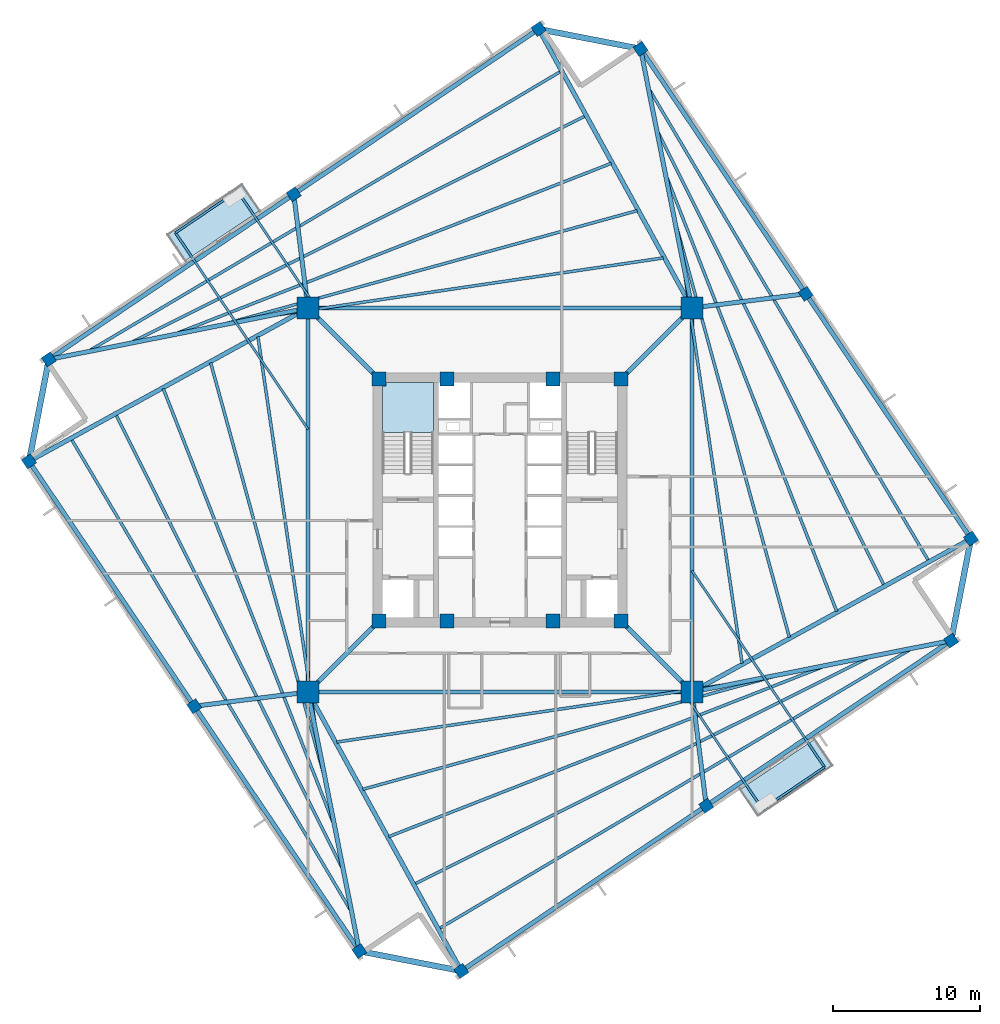
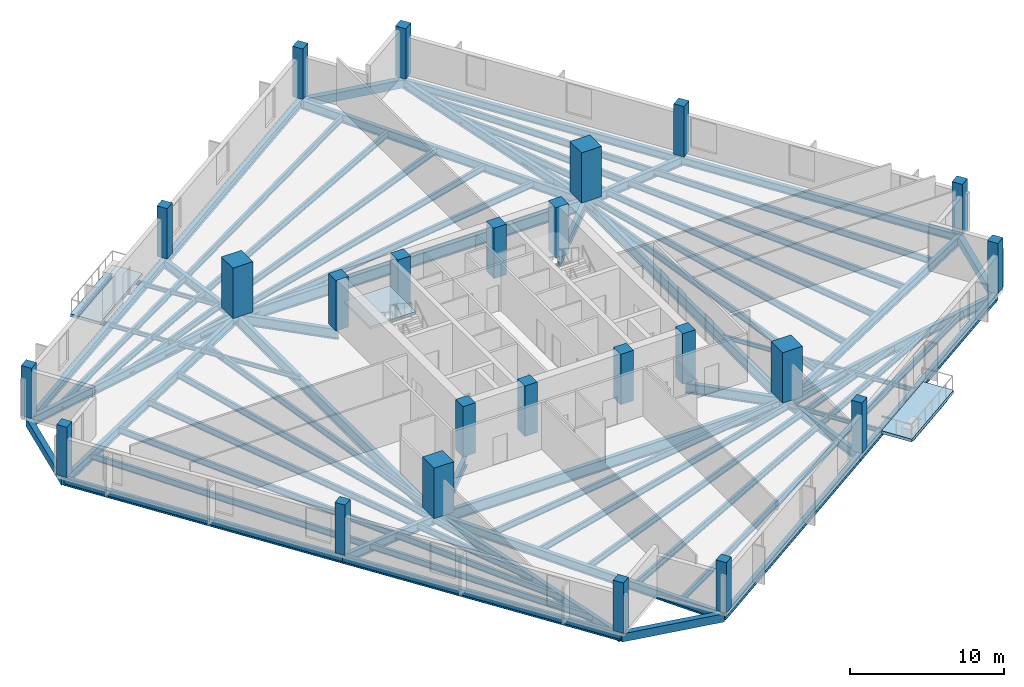
# One storey, part 1 of 8: 58 beams, 24 columns, 3 slabs, 1 element without a shape of its own.
"""IFC4 building model written with IfcOpenShell, lengths in metres."""

import ifcopenshell
import ifcopenshell.guid

model = None  # the IFC model being written
_history = None  # IfcOwnerHistory: only IFC2X3 demands one
_inside = {}  # id of a spatial element -> (the spatial element, [elements in it])
_under = {}  # id of a project, library or spatial element -> (it, [spatial elements below it])
_declared = {}  # id of a project -> (the project, [libraries it declares])
_typed = {}  # id of a type object -> (the type object, [elements of that type])
_made_of = {}  # id of a material, layer set ... -> (it, [elements and type objects made of it])


def new_model(schema):
    """Start an empty IFC model of exactly this schema.

    Asked for "IFC4X3", IfcOpenShell would pick the latest addendum, in which some entities
    have other attributes; the version numbers below select the first issue.
    IFC2X3 requires an IfcOwnerHistory on every rooted entity: one is made here for all.
    """
    global model, _history
    if schema == "IFC4X3":
        model = ifcopenshell.file(schema_version=(4, 3, 0, 0))
    else:
        model = ifcopenshell.file(schema=schema)
    _inside.clear()
    _under.clear()
    _declared.clear()
    _typed.clear()
    _made_of.clear()
    _history = None
    if model.schema == "IFC2X3":
        org = make("IfcOrganization", Name="unknown")
        user = make(
            "IfcPersonAndOrganization",
            ThePerson=make("IfcPerson", FamilyName="unknown"),
            TheOrganization=org,
        )
        app = make(
            "IfcApplication",
            ApplicationDeveloper=org,
            Version="unknown",
            ApplicationFullName="unknown",
            ApplicationIdentifier="unknown",
        )
        _history = make(
            "IfcOwnerHistory",
            OwningUser=user,
            OwningApplication=app,
            ChangeAction="ADDED",
            CreationDate=0,
        )
    return model


def make(cls, **values):
    """One entity of the class cls with the attributes given. An attribute that is None is left unset."""
    return model.create_entity(
        cls, **{name: value for name, value in values.items() if value is not None}
    )


def rooted(cls, **values):
    """An entity with a GlobalId (a new one), such as an element, a storey or a relation."""
    return make(cls, GlobalId=ifcopenshell.guid.new(), OwnerHistory=_history, **values)


def si_unit(unit_type, name, prefix=None):
    """IfcSIUnit, for example si_unit("LENGTHUNIT", "METRE", prefix="MILLI")."""
    return make("IfcSIUnit", UnitType=unit_type, Prefix=prefix, Name=name)


def assignment(units):
    """IfcUnitAssignment: the units of a project."""
    return None if units is None else make("IfcUnitAssignment", Units=units)


def point(xyz):
    """IfcCartesianPoint."""
    return None if xyz is None else make("IfcCartesianPoint", Coordinates=xyz)


def direction(xyz):
    """IfcDirection."""
    return None if xyz is None else make("IfcDirection", DirectionRatios=xyz)


def frame(location, z_axis=None, x_axis=None):
    """IfcAxis2Placement3D, a coordinate frame: its origin and axes. An axis left out is left unset."""
    return make(
        "IfcAxis2Placement3D",
        Location=point(location),
        Axis=direction(z_axis),
        RefDirection=direction(x_axis),
    )


def frame_2d(location, x_axis=None):
    """IfcAxis2Placement2D, a coordinate frame in the plane: its origin and x axis."""
    return make(
        "IfcAxis2Placement2D", Location=point(location), RefDirection=direction(x_axis)
    )


def origin():
    """The frame at (0, 0, 0) with its axes left unset."""
    return frame((0.0, 0.0, 0.0))


def origin_2d():
    """The frame at (0, 0) in the plane with its x axis left unset."""
    return frame_2d((0.0, 0.0))


def place(relative_to, where):
    """IfcLocalPlacement: puts the frame where relative to a parent placement (None: the world)."""
    return make(
        "IfcLocalPlacement", PlacementRelTo=relative_to, RelativePlacement=where
    )


def context(
    kind, dimensions, precision=None, world=None, true_north=None, identifier=None
):
    """IfcGeometricRepresentationContext, for example the 3D "Model" context."""
    return make(
        "IfcGeometricRepresentationContext",
        ContextIdentifier=identifier,
        ContextType=kind,
        CoordinateSpaceDimension=dimensions,
        Precision=precision,
        WorldCoordinateSystem=world,
        TrueNorth=true_north,
    )


def subcontext(parent, identifier, kind, view, scale=None):
    """IfcGeometricRepresentationSubContext, for example "Body" below "Model"."""
    return make(
        "IfcGeometricRepresentationSubContext",
        ContextIdentifier=identifier,
        ContextType=kind,
        ParentContext=parent,
        TargetScale=scale,
        TargetView=view,
    )


def project(units=None, contexts=None):
    """IfcProject with its units and contexts."""
    return rooted(
        "IfcProject",
        Name="project",
        RepresentationContexts=contexts,
        UnitsInContext=assignment(units),
    )


def spatial(cls, under=None, at=None, **own):
    """A site, building, storey or space (cls), placed at a placement, below another one or the project."""
    s = rooted(cls, ObjectPlacement=at, **own)
    if under is not None:
        _under.setdefault(under.id(), (under, []))[1].append(s)
    return s


def polyline(points):
    """IfcPolyline through the points."""
    return make("IfcPolyline", Points=[point(p) for p in points])


def profile(cls, at=None, kind="AREA", **sizes):
    """A parametric profile (cls). Its sizes go by their IFC names, for example OverallWidth=200.0."""
    return make(cls, ProfileType=kind, Position=at, **sizes)


def rectangle(**sizes):
    """IfcRectangleProfileDef."""
    return profile("IfcRectangleProfileDef", **sizes)


def i_section(**sizes):
    """IfcIShapeProfileDef."""
    return profile("IfcIShapeProfileDef", **sizes)


def outline(outer, holes=None, kind="AREA"):
    """IfcArbitraryClosedProfileDef: a profile drawn as a closed curve; with holes, ...WithVoids."""
    if holes is None:
        return make("IfcArbitraryClosedProfileDef", ProfileType=kind, OuterCurve=outer)
    return make(
        "IfcArbitraryProfileDefWithVoids",
        ProfileType=kind,
        OuterCurve=outer,
        InnerCurves=holes,
    )


def extrude(swept, where, along, depth):
    """IfcExtrudedAreaSolid: the profile swept, set in the frame where, extruded along a direction by depth."""
    return make(
        "IfcExtrudedAreaSolid",
        SweptArea=swept,
        Position=where,
        ExtrudedDirection=direction(along),
        Depth=depth,
    )


def shape(context_of_items, identifier, shape_type, items):
    """IfcShapeRepresentation: the items that make up one representation, for example the "Body"."""
    return make(
        "IfcShapeRepresentation",
        ContextOfItems=context_of_items,
        RepresentationIdentifier=identifier,
        RepresentationType=shape_type,
        Items=items,
    )


def source(mapping_origin, context_of_items, identifier, shape_type, items):
    """IfcRepresentationMap: a shape defined once, which mapped items show again and again."""
    return make(
        "IfcRepresentationMap",
        MappingOrigin=mapping_origin,
        MappedRepresentation=shape(context_of_items, identifier, shape_type, items),
    )


def transform(
    local_origin,
    x_axis=None,
    y_axis=None,
    z_axis=None,
    scale=None,
    scale2=None,
    scale3=None,
    uniform=True,
):
    """IfcCartesianTransformationOperator3D, or its non-uniform kind. x_axis, y_axis, z_axis: its Axis1, 2, 3."""
    if uniform:
        return make(
            "IfcCartesianTransformationOperator3D",
            Axis1=direction(x_axis),
            Axis2=direction(y_axis),
            LocalOrigin=point(local_origin),
            Scale=scale,
            Axis3=direction(z_axis),
        )
    return make(
        "IfcCartesianTransformationOperator3DnonUniform",
        Axis1=direction(x_axis),
        Axis2=direction(y_axis),
        LocalOrigin=point(local_origin),
        Scale=scale,
        Axis3=direction(z_axis),
        Scale2=scale2,
        Scale3=scale3,
    )


def mapped(mapping_source, mapping_target):
    """IfcMappedItem: shows the shape of a source again, moved by a transform."""
    return make(
        "IfcMappedItem", MappingSource=mapping_source, MappingTarget=mapping_target
    )


def material(Name=None, Category=None):
    """IfcMaterial."""
    return make("IfcMaterial", Name=Name, Category=Category)


def layer(
    of_material, thickness, ventilated=None, Name=None, Category=None, Priority=None
):
    """IfcMaterialLayer: one layer of a wall or slab, of a material (None: an air gap)."""
    return make(
        "IfcMaterialLayer",
        Material=of_material,
        LayerThickness=thickness,
        IsVentilated=ventilated,
        Name=Name,
        Category=Category,
        Priority=Priority,
    )


def layer_set(layers, Name=None):
    """IfcMaterialLayerSet."""
    return make("IfcMaterialLayerSet", MaterialLayers=layers, LayerSetName=Name)


def material_profile(
    of_material, cross_section, Name=None, Category=None, Priority=None
):
    """IfcMaterialProfile: a cross section and its material."""
    return make(
        "IfcMaterialProfile",
        Name=Name,
        Material=of_material,
        Profile=cross_section,
        Priority=Priority,
        Category=Category,
    )


def profile_set(profiles, Name=None, composite=None):
    """IfcMaterialProfileSet."""
    return make(
        "IfcMaterialProfileSet",
        Name=Name,
        MaterialProfiles=profiles,
        CompositeProfile=composite,
    )


def made_of(thing, what):
    """Note that an element or type object is made of a material, layer set ...; save() writes the relation."""
    if what is not None:
        _made_of.setdefault(what.id(), (what, []))[1].append(thing)
    return thing


def type_object(cls, material=None, **own):
    """A type object (cls), such as IfcWallType, which elements share."""
    return made_of(rooted(cls, **own), material)


def element(
    cls,
    number,
    at=None,
    inside=None,
    cuts=None,
    type_object=None,
    material=None,
    context=None,
    identifier="Body",
    shape_type=None,
    held_by="IfcProductDefinitionShape",
    body=None,
    shapes=None,
    **own,
):
    """One element of the class cls, such as IfcWall. Its Tag is "e" and its number.

    at: its placement. inside: the storey or other place that contains it. cuts: it is an
    opening in that element (IfcRelVoidsElement). A single representation is given by context,
    identifier, shape_type and body (its items); several are given by shapes. held_by: the class
    of the entity that holds the representations. save() writes the other relations.
    """
    e = rooted(cls, Tag="e%d" % number, ObjectPlacement=at, **own)
    if body is not None:
        shapes = [shape(context, identifier, shape_type, body)]
    if shapes is not None:
        e.Representation = make(held_by, Representations=shapes)
    if inside is not None:
        _inside.setdefault(inside.id(), (inside, []))[1].append(e)
    if cuts is not None:
        rooted(
            "IfcRelVoidsElement", RelatingBuildingElement=cuts, RelatedOpeningElement=e
        )
    if type_object is not None:
        _typed.setdefault(type_object.id(), (type_object, []))[1].append(e)
    return made_of(e, material)


def aggregate(whole, parts):
    """IfcRelAggregates: a whole, such as a stair, and the parts it consists of."""
    return rooted("IfcRelAggregates", RelatingObject=whole, RelatedObjects=parts)


def save(model, path):
    """Write the relations noted so far, then the file.

    IfcRelAggregates (storeys below a building ...), IfcRelContainedInSpatialStructure (elements
    in a storey), IfcRelDefinesByType, IfcRelAssociatesMaterial and IfcRelDeclares: one each for
    every whole, place, type object, material and project.
    """
    for whole, parts in _under.values():
        aggregate(whole, parts)
    for where, things in _inside.values():
        rooted(
            "IfcRelContainedInSpatialStructure",
            RelatedElements=things,
            RelatingStructure=where,
        )
    for kind, things in _typed.values():
        rooted("IfcRelDefinesByType", RelatedObjects=things, RelatingType=kind)
    for what, things in _made_of.values():
        rooted("IfcRelAssociatesMaterial", RelatedObjects=things, RelatingMaterial=what)
    for by, libraries in _declared.values():
        rooted("IfcRelDeclares", RelatingContext=by, RelatedDefinitions=libraries)
    model.write(path)


model = new_model("IFC4")

# Units and contexts
model_context = context("Model", 3, precision=1e-05, world=origin(), true_north=direction((0.0, 1.0)))
body_context = subcontext(model_context, "Body", "Model", "MODEL_VIEW")
ifc_project = project(units=[si_unit("LENGTHUNIT", "METRE"), si_unit("AREAUNIT", "SQUARE_METRE"), si_unit("VOLUMEUNIT", "CUBIC_METRE"), si_unit("PLANEANGLEUNIT", "RADIAN"), si_unit("MASSUNIT", "GRAM", prefix="KILO"), si_unit("THERMODYNAMICTEMPERATUREUNIT", "KELVIN")], contexts=[model_context])

# Site, building, storey
site_placement = place(None, origin())
site = spatial("IfcSite", under=ifc_project, at=site_placement, CompositionType="ELEMENT")
building_placement = place(site_placement, origin())
building = spatial("IfcBuilding", under=site, at=building_placement, Name="Kosmvard Interchange Tower", CompositionType="ELEMENT")
storey_placement = place(building_placement, frame((0.0, 0.0, 172.39990234375)))
storey = spatial("IfcBuildingStorey", under=building, at=storey_placement, Name="L41", CompositionType="ELEMENT", Elevation=172.39990234375)

# Columns
ifc_material_1 = material(Name="Concrete C60/75", Category="concrete")
ifc_material_profile_1 = material_profile(ifc_material_1, rectangle(XDim=0.949951171875, YDim=0.949951171875, at=origin_2d()), Name="CP 950x950")
ifc_profile_set_1 = profile_set([ifc_material_profile_1], Name="Concrete C60/75")
column_type_1 = type_object("IfcColumnType", Name="Core Boundary Pilaster 950x950 C60/75", PredefinedType="PILASTER", material=ifc_profile_set_1)
shared_shape_1 = source(origin(), body_context, "Body", "SweptSolid", [
    extrude(rectangle(XDim=0.949951171875, YDim=0.949951171875, at=origin_2d()), origin(), (0.0, 0.0, 1.0), 4.0),
])
for number, where, z_axis, x_axis, name in (
    (1, (-8.25, -8.25, 0.0), (0.0, 0.0, 1.0), (1.0, 0.0, 0.0), "L41 Core Pilaster CP1"),
    (2, (8.25, -8.25, 0.0), (0.0, 0.0, 1.0), (1.0, 0.0, 0.0), "L41 Core Pilaster CP2"),
    (3, (8.25, 8.25, 0.0), (0.0, 0.0, 1.0), (1.0, 0.0, 0.0), "L41 Core Pilaster CP3"),
    (4, (-8.25, 8.25, 0.0), (0.0, 0.0, 1.0), (1.0, 0.0, 0.0), "L41 Core Pilaster CP4"),
    (5, (-3.60009765625, -8.25, 0.0), (0.0, 0.0, 1.0), (1.0, 0.0, 0.0), "L41 Core Pilaster CP5"),
    (6, (3.60009765625, -8.25, 0.0), (0.0, 0.0, 1.0), (1.0, 0.0, 0.0), "L41 Core Pilaster CP6"),
    (7, (-3.60009765625, 8.25, 0.0), (0.0, 0.0, 1.0), (1.0, 0.0, 0.0), "L41 Core Pilaster CP7"),
    (8, (3.60009765625, 8.25, 0.0), (0.0, 0.0, 1.0), (1.0, 0.0, 0.0), "L41 Core Pilaster CP8"),
):
    element("IfcColumn", number, at=place(storey_placement, frame(where, z_axis=z_axis, x_axis=x_axis)), inside=storey, type_object=column_type_1, Name=name, PredefinedType="PILASTER", context=body_context, shape_type="MappedRepresentation", body=[
        mapped(shared_shape_1, transform((0.0, 0.0, 0.0), scale=1.0)),
    ])
ifc_material_profile_2 = material_profile(ifc_material_1, rectangle(XDim=1.5, YDim=1.5, at=origin_2d()), Name="MC 1500x1500")
ifc_profile_set_2 = profile_set([ifc_material_profile_2], Name="Concrete C60/75")
column_type_2 = type_object("IfcColumnType", Name="Composite Mega-Column 1500x1500 C60/75", PredefinedType="COLUMN", material=ifc_profile_set_2)
shared_shape_2 = source(origin(), body_context, "Body", "SweptSolid", [
    extrude(rectangle(XDim=1.5, YDim=1.5, at=origin_2d()), origin(), (0.0, 0.0, 1.0), 4.0),
])
for number, where, z_axis, x_axis, name in (
    (9, (-13.0810546875, -13.0810546875, 0.0), (0.0, 0.0, 1.0), (1.0, 0.0, 0.0), "L41 Corner Mega-Column MC1"),
    (10, (13.0810546875, -13.0810546875, 0.0), (0.0, 0.0, 1.0), (1.0, 0.0, 0.0), "L41 Corner Mega-Column MC2"),
    (11, (13.0810546875, 13.0810546875, 0.0), (0.0, 0.0, 1.0), (1.0, 0.0, 0.0), "L41 Corner Mega-Column MC3"),
    (12, (-13.0810546875, 13.0810546875, 0.0), (0.0, 0.0, 1.0), (1.0, 0.0, 0.0), "L41 Corner Mega-Column MC4"),
):
    element("IfcColumn", number, at=place(storey_placement, frame(where, z_axis=z_axis, x_axis=x_axis)), inside=storey, type_object=column_type_2, Name=name, PredefinedType="COLUMN", context=body_context, shape_type="MappedRepresentation", body=[
        mapped(shared_shape_2, transform((0.0, 0.0, 0.0), scale=1.0)),
    ])
ifc_material_2 = material(Name="Concrete C50/60", Category="concrete")
ifc_material_profile_3 = material_profile(ifc_material_2, rectangle(XDim=0.75, YDim=0.75, at=origin_2d()), Name="TC 750x750")
ifc_profile_set_3 = profile_set([ifc_material_profile_3], Name="Concrete C50/60")
column_type_3 = type_object("IfcColumnType", Name="Zone 3 Perimeter Pier Column 750x750 C50/60", PredefinedType="COLUMN", material=ifc_profile_set_3)
shared_shape_3 = source(origin(), body_context, "Body", "SweptSolid", [
    extrude(rectangle(XDim=0.75, YDim=0.75, at=origin_2d()), origin(), (0.0, 0.0, 1.0), 4.0),
])
for number, where, z_axis, x_axis, name in (
    (13, (-2.634765625, -32.083251953125, 0.0), (0.0, 0.0, 1.0), (0.829037572555, 0.559192903471, 0.0), "L41 Perimeter Pier Column TC-S1"),
    (14, (14.0498046875, -20.82958984375, 0.0), (0.0, 0.0, 1.0), (0.829037572555, 0.559192903471, 0.0), "L41 Perimeter Pier Column TC-S2"),
    (15, (30.734130859375, -9.575927734375, 0.0), (0.0, 0.0, 1.0), (0.829037572555, 0.559192903471, 0.0), "L41 Perimeter Pier Column TC-S3"),
    (16, (32.083251953125, -2.634765625, 0.0), (0.0, 0.0, 1.0), (0.829037572555, 0.559192903471, 0.0), "L41 Perimeter Pier Column TC-E1"),
    (17, (20.82958984375, 14.0498046875, 0.0), (0.0, 0.0, 1.0), (0.829037572555, 0.559192903471, 0.0), "L41 Perimeter Pier Column TC-E2"),
    (18, (9.575927734375, 30.734130859375, 0.0), (0.0, 0.0, 1.0), (0.829037572555, 0.559192903471, 0.0), "L41 Perimeter Pier Column TC-E3"),
    (19, (2.634765625, 32.083251953125, 0.0), (0.0, 0.0, 1.0), (0.829037572555, 0.559192903471, 0.0), "L41 Perimeter Pier Column TC-N1"),
    (20, (-14.0498046875, 20.82958984375, 0.0), (0.0, 0.0, 1.0), (0.829037572555, 0.559192903471, 0.0), "L41 Perimeter Pier Column TC-N2"),
    (21, (-30.734130859375, 9.575927734375, 0.0), (0.0, 0.0, 1.0), (0.829037572555, 0.559192903471, 0.0), "L41 Perimeter Pier Column TC-N3"),
    (22, (-32.083251953125, 2.634765625, 0.0), (0.0, 0.0, 1.0), (0.829037572555, 0.559192903471, 0.0), "L41 Perimeter Pier Column TC-W1"),
    (23, (-20.82958984375, -14.0498046875, 0.0), (0.0, 0.0, 1.0), (0.829037572555, 0.559192903471, 0.0), "L41 Perimeter Pier Column TC-W2"),
    (24, (-9.575927734375, -30.734130859375, 0.0), (0.0, 0.0, 1.0), (0.829037572555, 0.559192903471, 0.0), "L41 Perimeter Pier Column TC-W3"),
):
    element("IfcColumn", number, at=place(storey_placement, frame(where, z_axis=z_axis, x_axis=x_axis)), inside=storey, type_object=column_type_3, Name=name, PredefinedType="COLUMN", context=body_context, shape_type="MappedRepresentation", body=[
        mapped(shared_shape_3, transform((0.0, 0.0, 0.0), scale=1.0)),
    ])

# Beams
ifc_material_3 = material(Name="Steel S355", Category="steel")
ifc_material_profile_4 = material_profile(ifc_material_3, i_section(OverallWidth=0.14990234375, OverallDepth=0.300048828125, WebThickness=0.007080078125, FlangeThickness=0.0107421875, FilletRadius=0.014892578125, at=origin_2d()), Name="IPE 300")
ifc_profile_set_4 = profile_set([ifc_material_profile_4], Name="Steel S355")
beam_type_1 = type_object("IfcBeamType", Name="Balcony Edge Header Joist IPE 300 S355", PredefinedType="JOIST", material=ifc_profile_set_4)
shared_shape_4 = source(origin(), body_context, "Body", "SweptSolid", [
    extrude(i_section(OverallWidth=0.14990234375, OverallDepth=0.300048828125, WebThickness=0.007080078125, FlangeThickness=0.0107421875, FilletRadius=0.014892578125, at=origin_2d()), origin(), (0.0, 0.0, 1.0), 5.099853515625),
])
for number, where, z_axis, x_axis, name in (
    (25, (-17.87841796875, 21.051513671875, -0.409912109375), (-0.82904064614, -0.559188346666, 0.0), (0.559188346666, -0.82904064614, 0.0), "BM-L41-BJH1"),
    (26, (17.87841796875, -21.051513671875, -0.409912109375), (0.82904064614, 0.559188346666, 0.0), (-0.559188346666, 0.82904064614, 0.0), "BM-L41-BJH2"),
):
    element("IfcBeam", number, at=place(storey_placement, frame(where, z_axis=z_axis, x_axis=x_axis)), inside=storey, type_object=beam_type_1, Name=name, PredefinedType="JOIST", context=body_context, shape_type="MappedRepresentation", body=[
        mapped(shared_shape_4, transform((0.0, 0.0, 0.0), scale=1.0)),
    ])
ifc_material_profile_5 = material_profile(ifc_material_3, i_section(OverallWidth=0.300048828125, OverallDepth=0.800048828125, WebThickness=0.017578125, FlangeThickness=0.032958984375, FilletRadius=0.027099609375, at=origin_2d()), Name="HEB 800")
ifc_profile_set_5 = profile_set([ifc_material_profile_5], Name="Steel S355")
beam_type_2 = type_object("IfcBeamType", Name="Primary Mega-Frame Girder HEB 800 S355", PredefinedType="BEAM", material=ifc_profile_set_5)
shared_shape_5 = source(origin(), body_context, "Body", "SweptSolid", [
    extrude(i_section(OverallWidth=0.300048828125, OverallDepth=0.800048828125, WebThickness=0.017578125, FlangeThickness=0.032958984375, FilletRadius=0.027099609375, at=origin_2d()), origin(), (0.0, 0.0, 1.0), 6.83203125),
])
for number, where, z_axis, x_axis, name in (
    (27, (-8.25, -8.25, -0.659912109375), (-0.707106781187, -0.707106781187, 0.0), (0.707106781187, -0.707106781187, 0.0), "L41 Radial Mega-Frame Girder 1"),
    (28, (8.25, -8.25, -0.659912109375), (0.707106781187, -0.707106781187, 0.0), (0.707106781187, 0.707106781187, 0.0), "L41 Radial Mega-Frame Girder 2"),
    (29, (8.25, 8.25, -0.659912109375), (0.707106781187, 0.707106781187, 0.0), (-0.707106781187, 0.707106781187, 0.0), "L41 Radial Mega-Frame Girder 3"),
    (30, (-8.25, 8.25, -0.659912109375), (-0.707106781187, 0.707106781187, 0.0), (-0.707106781187, -0.707106781187, 0.0), "L41 Radial Mega-Frame Girder 4"),
):
    element("IfcBeam", number, at=place(storey_placement, frame(where, z_axis=z_axis, x_axis=x_axis)), inside=storey, type_object=beam_type_2, Name=name, PredefinedType="BEAM", context=body_context, shape_type="MappedRepresentation", body=[
        mapped(shared_shape_5, transform((0.0, 0.0, 0.0), scale=1.0)),
    ])
ifc_material_profile_6 = material_profile(ifc_material_3, i_section(OverallWidth=0.300048828125, OverallDepth=0.89990234375, WebThickness=0.0185546875, FlangeThickness=0.034912109375, FilletRadius=0.030029296875, at=origin_2d()), Name="HEB 900")
ifc_profile_set_6 = profile_set([ifc_material_profile_6], Name="Steel S355")
beam_type_3 = type_object("IfcBeamType", Name="Mega-Column Ring Girder HEB 900 S355", PredefinedType="BEAM", material=ifc_profile_set_6)
shared_shape_6 = source(origin(), body_context, "Body", "SweptSolid", [
    extrude(i_section(OverallWidth=0.300048828125, OverallDepth=0.89990234375, WebThickness=0.0185546875, FlangeThickness=0.034912109375, FilletRadius=0.030029296875, at=origin_2d()), origin(), (0.0, 0.0, 1.0), 26.162109375),
])
for number, where, z_axis, x_axis, name in (
    (31, (-13.0810546875, -13.0810546875, -0.7099609375), (1.0, 0.0, 0.0), (0.0, 1.0, 0.0), "L41 Mega-Column Ring Girder 1"),
    (32, (13.0810546875, -13.0810546875, -0.7099609375), (0.0, 1.0, 0.0), (-1.0, 0.0, 0.0), "L41 Mega-Column Ring Girder 2"),
    (33, (13.0810546875, 13.0810546875, -0.7099609375), (-1.0, 0.0, 0.0), (0.0, -1.0, 0.0), "L41 Mega-Column Ring Girder 3"),
    (34, (-13.0810546875, 13.0810546875, -0.7099609375), (0.0, -1.0, 0.0), (1.0, 0.0, 0.0), "L41 Mega-Column Ring Girder 4"),
):
    element("IfcBeam", number, at=place(storey_placement, frame(where, z_axis=z_axis, x_axis=x_axis)), inside=storey, type_object=beam_type_3, Name=name, PredefinedType="BEAM", context=body_context, shape_type="MappedRepresentation", body=[
        mapped(shared_shape_6, transform((0.0, 0.0, 0.0), scale=1.0)),
    ])
ifc_material_profile_7 = material_profile(ifc_material_3, i_section(OverallWidth=0.300048828125, OverallDepth=0.60009765625, WebThickness=0.015380859375, FlangeThickness=0.030029296875, FilletRadius=0.027099609375, at=origin_2d()), Name="HEB 600")
ifc_profile_set_7 = profile_set([ifc_material_profile_7], Name="Steel S355")
beam_type_4 = type_object("IfcBeamType", Name="Perimeter Tie Girder HEB 600 S355", PredefinedType="BEAM", material=ifc_profile_set_7)
shared_shape_7 = source(origin(), body_context, "Body", "SweptSolid", [
    extrude(i_section(OverallWidth=0.300048828125, OverallDepth=0.60009765625, WebThickness=0.015380859375, FlangeThickness=0.030029296875, FilletRadius=0.027099609375, at=origin_2d()), origin(), (0.0, 0.0, 1.0), 20.125),
])
for number, where, z_axis, x_axis, name in (
    (35, (-2.634765625, -32.083251953125, -0.559814453125), (0.82904270175, 0.559185299051, 0.0), (-0.559185299051, 0.82904270175, 0.0), "BM-L41-PR01"),
    (36, (14.0498046875, -20.82958984375, -0.559814453125), (0.829038908426, 0.559190922956, 0.0), (-0.559190922956, 0.829038908426, 0.0), "BM-L41-PR02"),
    (37, (32.083251953125, -2.634765625, -0.559814453125), (-0.559185299051, 0.82904270175, 0.0), (-0.82904270175, -0.559185299051, 0.0), "BM-L41-PR04"),
    (38, (20.82958984375, 14.0498046875, -0.559814453125), (-0.559190922956, 0.829038908426, 0.0), (-0.829038908426, -0.559190922956, 0.0), "BM-L41-PR05"),
    (39, (2.634765625, 32.083251953125, -0.559814453125), (-0.82904270175, -0.559185299051, 0.0), (0.559185299051, -0.82904270175, 0.0), "BM-L41-PR07"),
    (40, (-14.0498046875, 20.82958984375, -0.559814453125), (-0.829038908426, -0.559190922956, 0.0), (0.559190922956, -0.829038908426, 0.0), "BM-L41-PR08"),
    (41, (-32.083251953125, 2.634765625, -0.559814453125), (0.559185299051, -0.82904270175, 0.0), (0.82904270175, 0.559185299051, 0.0), "BM-L41-PR10"),
    (42, (-20.82958984375, -14.0498046875, -0.559814453125), (0.559190922956, -0.829038908426, 0.0), (0.829038908426, 0.559190922956, 0.0), "BM-L41-PR11"),
):
    element("IfcBeam", number, at=place(storey_placement, frame(where, z_axis=z_axis, x_axis=x_axis)), inside=storey, type_object=beam_type_4, Name=name, PredefinedType="BEAM", context=body_context, shape_type="MappedRepresentation", body=[
        mapped(shared_shape_7, transform((0.0, 0.0, 0.0), scale=1.0)),
    ])
ifc_material_profile_8 = material_profile(ifc_material_3, i_section(OverallWidth=0.300048828125, OverallDepth=0.699951171875, WebThickness=0.01708984375, FlangeThickness=0.031982421875, FilletRadius=0.027099609375, at=origin_2d()), Name="HEB 700")
ifc_profile_set_8 = profile_set([ifc_material_profile_8], Name="Steel S355")
beam_type_5 = type_object("IfcBeamType", Name="Primary Floor Girder HEB 700 S355", PredefinedType="BEAM", material=ifc_profile_set_8)
shared_shape_8 = source(origin(), body_context, "Body", "SweptSolid", [
    extrude(i_section(OverallWidth=0.300048828125, OverallDepth=0.699951171875, WebThickness=0.01708984375, FlangeThickness=0.031982421875, FilletRadius=0.027099609375, at=origin_2d()), origin(), (0.0, 0.0, 1.0), 21.684326171875),
])
for number, where, z_axis, x_axis, name in (
    (43, (-13.0810546875, -13.0810546875, -0.60986328125), (0.48174456271, -0.876311689012, 0.0), (0.876311689012, 0.48174456271, 0.0), "BM-L41-RD01"),
    (44, (13.0810546875, -13.0810546875, -0.60986328125), (0.876311689012, 0.48174456271, 0.0), (-0.48174456271, 0.876311689012, 0.0), "BM-L41-RD04"),
    (45, (13.0810546875, 13.0810546875, -0.60986328125), (-0.48174456271, 0.876311689012, 0.0), (-0.876311689012, -0.48174456271, 0.0), "BM-L41-RD07"),
    (46, (-13.0810546875, 13.0810546875, -0.60986328125), (-0.876311689012, -0.48174456271, 0.0), (0.48174456271, -0.876311689012, 0.0), "BM-L41-RD10"),
):
    element("IfcBeam", number, at=place(storey_placement, frame(where, z_axis=z_axis, x_axis=x_axis)), inside=storey, type_object=beam_type_5, Name=name, PredefinedType="BEAM", context=body_context, shape_type="MappedRepresentation", body=[
        mapped(shared_shape_8, transform((0.0, 0.0, 0.0), scale=1.0)),
    ])
shared_shape_9 = source(origin(), body_context, "Body", "SweptSolid", [
    extrude(i_section(OverallWidth=0.300048828125, OverallDepth=0.699951171875, WebThickness=0.01708984375, FlangeThickness=0.031982421875, FilletRadius=0.027099609375, at=origin_2d()), origin(), (0.0, 0.0, 1.0), 7.808837890625),
])
for number, where, z_axis, x_axis, name in (
    (47, (13.0810546875, -13.0810546875, -0.60986328125), (0.12405782224, -0.992274990485, 0.0), (0.992274990485, 0.12405782224, 0.0), "BM-L41-RD02"),
    (48, (13.0810546875, 13.0810546875, -0.60986328125), (0.992274990485, 0.12405782224, 0.0), (-0.12405782224, 0.992274990485, 0.0), "BM-L41-RD05"),
    (49, (-13.0810546875, 13.0810546875, -0.60986328125), (-0.12405782224, 0.992274990485, 0.0), (-0.992274990485, -0.12405782224, 0.0), "BM-L41-RD08"),
    (50, (-13.0810546875, -13.0810546875, -0.60986328125), (-0.992274990485, -0.12405782224, 0.0), (0.12405782224, -0.992274990485, 0.0), "BM-L41-RD11"),
):
    element("IfcBeam", number, at=place(storey_placement, frame(where, z_axis=z_axis, x_axis=x_axis)), inside=storey, type_object=beam_type_5, Name=name, PredefinedType="BEAM", context=body_context, shape_type="MappedRepresentation", body=[
        mapped(shared_shape_9, transform((0.0, 0.0, 0.0), scale=1.0)),
    ])
ifc_material_4 = material(Name="Precast concrete C45/55", Category="concrete")
ifc_material_profile_9 = material_profile(ifc_material_4, rectangle(XDim=0.39990234375, YDim=0.64990234375, at=origin_2d()), Name="SL 400x650")
ifc_profile_set_9 = profile_set([ifc_material_profile_9], Name="Precast concrete C45/55")
beam_type_6 = type_object("IfcBeamType", Name="Precast Spandrel Lintel 400x650 C45/55", PredefinedType="LINTEL", material=ifc_profile_set_9)
shared_shape_10 = source(origin(), body_context, "Body", "SweptSolid", [
    extrude(rectangle(XDim=0.39990234375, YDim=0.64990234375, at=origin_2d()), origin(), (0.0, 0.0, 1.0), 7.071044921875),
])
for number, where, z_axis, x_axis, name in (
    (51, (30.734130859375, -9.575927734375, -0.5849609375), (0.190794803533, 0.981629941956, 0.0), (-0.981629941956, 0.190794803533, 0.0), "BM-L41-SL1"),
    (52, (9.575927734375, 30.734130859375, -0.5849609375), (-0.981629941956, 0.190794803533, 0.0), (-0.190794803533, -0.981629941956, 0.0), "BM-L41-SL2"),
    (53, (-30.734130859375, 9.575927734375, -0.5849609375), (-0.190794803533, -0.981629941956, 0.0), (0.981629941956, -0.190794803533, 0.0), "BM-L41-SL3"),
    (54, (-9.575927734375, -30.734130859375, -0.5849609375), (0.981629941956, -0.190794803533, 0.0), (0.190794803533, 0.981629941956, 0.0), "BM-L41-SL4"),
):
    element("IfcBeam", number, at=place(storey_placement, frame(where, z_axis=z_axis, x_axis=x_axis)), inside=storey, type_object=beam_type_6, Name=name, PredefinedType="LINTEL", context=body_context, shape_type="MappedRepresentation", body=[
        mapped(shared_shape_10, transform((0.0, 0.0, 0.0), scale=1.0)),
    ])
shared_shape_11 = source(origin(), body_context, "Body", "SweptSolid", [
    extrude(i_section(OverallWidth=0.300048828125, OverallDepth=0.699951171875, WebThickness=0.01708984375, FlangeThickness=0.031982421875, FilletRadius=0.027099609375, at=origin_2d()), origin(), (0.0, 0.0, 1.0), 17.997802734375),
])
for number, where, z_axis, x_axis, name in (
    (55, (13.0810546875, -13.0810546875, -0.60986328125), (0.980852075755, 0.194754218148, 0.0), (-0.194754218148, 0.980852075755, 0.0), "BM-L41-RD03"),
    (56, (13.0810546875, 13.0810546875, -0.60986328125), (-0.194754218148, 0.980852075755, 0.0), (-0.980852075755, -0.194754218148, 0.0), "BM-L41-RD06"),
    (57, (-13.0810546875, 13.0810546875, -0.60986328125), (-0.980852075755, -0.194754218148, 0.0), (0.194754218148, -0.980852075755, 0.0), "BM-L41-RD09"),
    (58, (-13.0810546875, -13.0810546875, -0.60986328125), (0.194754218148, -0.980852075755, 0.0), (0.980852075755, 0.194754218148, 0.0), "BM-L41-RD12"),
):
    element("IfcBeam", number, at=place(storey_placement, frame(where, z_axis=z_axis, x_axis=x_axis)), inside=storey, type_object=beam_type_5, Name=name, PredefinedType="BEAM", context=body_context, shape_type="MappedRepresentation", body=[
        mapped(shared_shape_11, transform((0.0, 0.0, 0.0), scale=1.0)),
    ])
ifc_material_profile_10 = material_profile(ifc_material_3, i_section(OverallWidth=0.199951171875, OverallDepth=0.5, WebThickness=0.01025390625, FlangeThickness=0.01611328125, FilletRadius=0.02099609375, at=origin_2d()), Name="IPE 500")
ifc_profile_set_10 = profile_set([ifc_material_profile_10], Name="Steel S355")
beam_type_7 = type_object("IfcBeamType", Name="Standard Floor Joist IPE 500 S355", PredefinedType="JOIST", material=ifc_profile_set_10)
shared_shape_12 = source(origin(), body_context, "Body", "SweptSolid", [
    extrude(i_section(OverallWidth=0.199951171875, OverallDepth=0.5, WebThickness=0.01025390625, FlangeThickness=0.01611328125, FilletRadius=0.02099609375, at=origin_2d()), origin(), (0.0, 0.0, 1.0), 27.5966796875),
])
for number, where, z_axis, x_axis, name in (
    (59, (-11.12158203125, -16.48974609375, -0.510009765625), (0.989290070387, 0.145962860463, 0.0), (-0.145962860463, 0.989290070387, 0.0), "BM-L41-FJ01"),
    (60, (16.48974609375, -11.12158203125, -0.510009765625), (-0.145962860463, 0.989290070387, 0.0), (-0.989290070387, -0.145962860463, 0.0), "BM-L41-FJ06"),
    (61, (11.12158203125, 16.48974609375, -0.510009765625), (-0.989290070387, -0.145962860463, 0.0), (0.145962860463, -0.989290070387, 0.0), "BM-L41-FJ11"),
    (62, (-16.48974609375, 11.12158203125, -0.510009765625), (0.145962860463, -0.989290070387, 0.0), (0.989290070387, 0.145962860463, 0.0), "BM-L41-FJ16"),
):
    element("IfcBeam", number, at=place(storey_placement, frame(where, z_axis=z_axis, x_axis=x_axis)), inside=storey, type_object=beam_type_7, Name=name, PredefinedType="JOIST", context=body_context, shape_type="MappedRepresentation", body=[
        mapped(shared_shape_12, transform((0.0, 0.0, 0.0), scale=1.0)),
    ])
shared_shape_13 = source(origin(), body_context, "Body", "SweptSolid", [
    extrude(i_section(OverallWidth=0.199951171875, OverallDepth=0.5, WebThickness=0.01025390625, FlangeThickness=0.01611328125, FilletRadius=0.02099609375, at=origin_2d()), origin(), (0.0, 0.0, 1.0), 29.58642578125),
])
for number, where, z_axis, x_axis, name in (
    (63, (-9.34765625, -19.710693359375, -0.510009765625), (0.964296527467, 0.264824861209, 0.0), (-0.264824861209, 0.964296527467, 0.0), "BM-L41-FJ02"),
    (64, (19.710693359375, -9.34765625, -0.510009765625), (-0.264824861209, 0.964296527467, 0.0), (-0.964296527467, -0.264824861209, 0.0), "BM-L41-FJ07"),
    (65, (9.34765625, 19.710693359375, -0.510009765625), (-0.964296527467, -0.264824861209, 0.0), (0.264824861209, -0.964296527467, 0.0), "BM-L41-FJ12"),
    (66, (-19.710693359375, 9.34765625, -0.510009765625), (0.264824861209, -0.964296527467, 0.0), (0.964296527467, 0.264824861209, 0.0), "BM-L41-FJ17"),
):
    element("IfcBeam", number, at=place(storey_placement, frame(where, z_axis=z_axis, x_axis=x_axis)), inside=storey, type_object=beam_type_7, Name=name, PredefinedType="JOIST", context=body_context, shape_type="MappedRepresentation", body=[
        mapped(shared_shape_13, transform((0.0, 0.0, 0.0), scale=1.0)),
    ])
shared_shape_14 = source(origin(), body_context, "Body", "SweptSolid", [
    extrude(i_section(OverallWidth=0.199951171875, OverallDepth=0.5, WebThickness=0.01025390625, FlangeThickness=0.01611328125, FilletRadius=0.02099609375, at=origin_2d()), origin(), (0.0, 0.0, 1.0), 31.9580078125),
])
for number, where, z_axis, x_axis, name in (
    (67, (-7.574462890625, -22.93310546875, -0.510009765625), (0.931239172846, 0.364408565976, 0.0), (-0.364408565976, 0.931239172846, 0.0), "BM-L41-FJ03"),
    (68, (22.93310546875, -7.574462890625, -0.510009765625), (-0.364408565976, 0.931239172846, 0.0), (-0.931239172846, -0.364408565976, 0.0), "BM-L41-FJ08"),
    (69, (7.574462890625, 22.93310546875, -0.510009765625), (-0.931239172846, -0.364408565976, 0.0), (0.364408565976, -0.931239172846, 0.0), "BM-L41-FJ13"),
    (70, (-22.93310546875, 7.574462890625, -0.510009765625), (0.364408565976, -0.931239172846, 0.0), (0.931239172846, 0.364408565976, 0.0), "BM-L41-FJ18"),
):
    element("IfcBeam", number, at=place(storey_placement, frame(where, z_axis=z_axis, x_axis=x_axis)), inside=storey, type_object=beam_type_7, Name=name, PredefinedType="JOIST", context=body_context, shape_type="MappedRepresentation", body=[
        mapped(shared_shape_14, transform((0.0, 0.0, 0.0), scale=1.0)),
    ])
shared_shape_15 = source(origin(), body_context, "Body", "SweptSolid", [
    extrude(i_section(OverallWidth=0.199951171875, OverallDepth=0.5, WebThickness=0.01025390625, FlangeThickness=0.01611328125, FilletRadius=0.02099609375, at=origin_2d()), origin(), (0.0, 0.0, 1.0), 34.633056640625),
])
for number, where, z_axis, x_axis, name in (
    (71, (-5.801513671875, -26.156982421875, -0.510009765625), (0.894853974707, 0.446359007921, 0.0), (-0.446359007921, 0.894853974707, 0.0), "BM-L41-FJ04"),
    (72, (26.156982421875, -5.801513671875, -0.510009765625), (-0.446359007921, 0.894853974707, 0.0), (-0.894853974707, -0.446359007921, 0.0), "BM-L41-FJ09"),
    (73, (5.801513671875, 26.156982421875, -0.510009765625), (-0.894853974707, -0.446359007921, 0.0), (0.446359007921, -0.894853974707, 0.0), "BM-L41-FJ14"),
    (74, (-26.156982421875, 5.801513671875, -0.510009765625), (0.446359007921, -0.894853974707, 0.0), (0.894853974707, 0.446359007921, 0.0), "BM-L41-FJ19"),
):
    element("IfcBeam", number, at=place(storey_placement, frame(where, z_axis=z_axis, x_axis=x_axis)), inside=storey, type_object=beam_type_7, Name=name, PredefinedType="JOIST", context=body_context, shape_type="MappedRepresentation", body=[
        mapped(shared_shape_15, transform((0.0, 0.0, 0.0), scale=1.0)),
    ])
shared_shape_16 = source(origin(), body_context, "Body", "SweptSolid", [
    extrude(i_section(OverallWidth=0.199951171875, OverallDepth=0.5, WebThickness=0.01025390625, FlangeThickness=0.01611328125, FilletRadius=0.02099609375, at=origin_2d()), origin(), (0.0, 0.0, 1.0), 37.3701171875),
])
for number, where, z_axis, x_axis, name in (
    (75, (-4.1328125, -29.192138671875, -0.510009765625), (0.860316577026, 0.509760127212, 0.0), (-0.509760127212, 0.860316577026, 0.0), "BM-L41-FJ05"),
    (76, (29.192138671875, -4.1328125, -0.510009765625), (-0.509760127212, 0.860316577026, 0.0), (-0.860316577026, -0.509760127212, 0.0), "BM-L41-FJ10"),
    (77, (4.1328125, 29.192138671875, -0.510009765625), (-0.860316577026, -0.509760127212, 0.0), (0.509760127212, -0.860316577026, 0.0), "BM-L41-FJ15"),
    (78, (-29.192138671875, 4.1328125, -0.510009765625), (0.509760127212, -0.860316577026, 0.0), (0.860316577026, 0.509760127212, 0.0), "BM-L41-FJ20"),
):
    element("IfcBeam", number, at=place(storey_placement, frame(where, z_axis=z_axis, x_axis=x_axis)), inside=storey, type_object=beam_type_7, Name=name, PredefinedType="JOIST", context=body_context, shape_type="MappedRepresentation", body=[
        mapped(shared_shape_16, transform((0.0, 0.0, 0.0), scale=1.0)),
    ])
ifc_material_profile_11 = material_profile(ifc_material_3, i_section(OverallWidth=0.159912109375, OverallDepth=0.330078125, WebThickness=0.007568359375, FlangeThickness=0.011474609375, FilletRadius=0.01806640625, at=origin_2d()), Name="IPE 330")
ifc_profile_set_11 = profile_set([ifc_material_profile_11], Name="Steel S355")
beam_type_8 = type_object("IfcBeamType", Name="Balcony Cantilever Joist IPE 330 S355", PredefinedType="JOIST", material=ifc_profile_set_11)
shared_shape_17 = source(origin(), body_context, "Body", "SweptSolid", [
    extrude(i_section(OverallWidth=0.159912109375, OverallDepth=0.330078125, WebThickness=0.007568359375, FlangeThickness=0.011474609375, FilletRadius=0.01806640625, at=origin_2d()), origin(), (0.0, 0.0, 1.0), 9.6142578125),
])
for number, where, z_axis, x_axis, name in (
    (79, (-12.502197265625, 13.0810546875, -0.4248046875), (-0.559198496377, 0.829033800065, 0.0), (-0.829033800065, -0.559198496377, 0.0), "BM-L41-BJ1"),
    (80, (12.502197265625, -13.0810546875, -0.4248046875), (0.559198496377, -0.829033800065, 0.0), (0.829033800065, 0.559198496377, 0.0), "BM-L41-BJ2"),
):
    element("IfcBeam", number, at=place(storey_placement, frame(where, z_axis=z_axis, x_axis=x_axis)), inside=storey, type_object=beam_type_8, Name=name, PredefinedType="JOIST", context=body_context, shape_type="MappedRepresentation", body=[
        mapped(shared_shape_17, transform((0.0, 0.0, 0.0), scale=1.0)),
    ])
shared_shape_18 = source(origin(), body_context, "Body", "SweptSolid", [
    extrude(i_section(OverallWidth=0.159912109375, OverallDepth=0.330078125, WebThickness=0.007568359375, FlangeThickness=0.011474609375, FilletRadius=0.01806640625, at=origin_2d()), origin(), (0.0, 0.0, 1.0), 16.14013671875),
])
for number, where, z_axis, x_axis, name in (
    (81, (-13.0810546875, 4.81884765625, -0.4248046875), (-0.559188092129, 0.829040817826, 0.0), (-0.829040817826, -0.559188092129, 0.0), "BM-L41-BJB1"),
    (82, (13.0810546875, -4.81884765625, -0.4248046875), (0.559188092129, -0.829040817826, 0.0), (0.829040817826, 0.559188092129, 0.0), "BM-L41-BJB2"),
):
    element("IfcBeam", number, at=place(storey_placement, frame(where, z_axis=z_axis, x_axis=x_axis)), inside=storey, type_object=beam_type_8, Name=name, PredefinedType="JOIST", context=body_context, shape_type="MappedRepresentation", body=[
        mapped(shared_shape_18, transform((0.0, 0.0, 0.0), scale=1.0)),
    ])

# Stair, slab
stair_type = type_object("IfcStairType", Name="Dog-Leg Core Exit Stair H4000 C50/60", PredefinedType="HALF_TURN_STAIR", material=ifc_material_2)
stair_placement = place(storey_placement, origin())
stair = element("IfcStair", 83, at=stair_placement, inside=storey, type_object=stair_type, Name="L41 Protected Exit Stair ST-1", PredefinedType="HALF_TURN_STAIR")
ifc_layer_1 = layer(ifc_material_2, 0.199951171875, Name="Concrete C50/60")
ifc_layer_set_1 = layer_set([ifc_layer_1], Name="Concrete C50/60")
slab_type_1 = type_object("IfcSlabType", Name="Stair Half-Landing Slab 200 C50/60", PredefinedType="LANDING", material=ifc_layer_set_1)
slab_1_placement = place(storey_placement, frame((0.0, 0.0, 1.800048828125)))
slab_1 = element("IfcSlab", 84, at=slab_1_placement, type_object=slab_type_1, Name="ST-1 landing 1", PredefinedType="LANDING", context=body_context, shape_type="SweptSolid", body=[
    extrude(outline(polyline([(-4.5400390625, 4.60009765625), (-4.5400390625, 8.0), (-8.0, 8.0), (-8.0, 4.60009765625), (-4.5400390625, 4.60009765625)])), origin(), (0.0, 0.0, 1.0), 0.199951171875),
])
aggregate(stair, [slab_1])

# Slabs
ifc_layer_2 = layer(ifc_material_2, 0.22998046875, Name="Concrete C50/60")
ifc_layer_set_2 = layer_set([ifc_layer_2], Name="Concrete C50/60")
slab_type_2 = type_object("IfcSlabType", Name="Tree-Planter Cantilever Balcony Slab 230 C50/60", PredefinedType="FLOOR", material=ifc_layer_set_2)
slab_2_placement = place(storey_placement, frame((0.0, 0.0, -0.22998046875)))
element("IfcSlab", 85, at=slab_2_placement, inside=storey, type_object=slab_type_2, Name="L41 Outdoor Terrace Balcony Slab BAL-L41-NE", PredefinedType="FLOOR", context=body_context, shape_type="SweptSolid", body=[
    extrude(outline(polyline([(-21.47216796875, 16.275390625), (-16.33203125, 19.742431640625), (-17.562255859375, 21.56640625), (-22.702392578125, 18.099365234375), (-21.47216796875, 16.275390625)])), origin(), (0.0, 0.0, 1.0), 0.22998046875),
])
slab_3_placement = place(storey_placement, frame((0.0, 0.0, -0.22998046875)))
element("IfcSlab", 86, at=slab_3_placement, inside=storey, type_object=slab_type_2, Name="L41 Outdoor Terrace Balcony Slab BAL-L41-SW", PredefinedType="FLOOR", context=body_context, shape_type="SweptSolid", body=[
    extrude(outline(polyline([(17.562255859375, -21.56640625), (22.702392578125, -18.099365234375), (21.47216796875, -16.275390625), (16.33203125, -19.742431640625), (17.562255859375, -21.56640625)])), origin(), (0.0, 0.0, 1.0), 0.22998046875),
])

save(model, "model.ifc")
